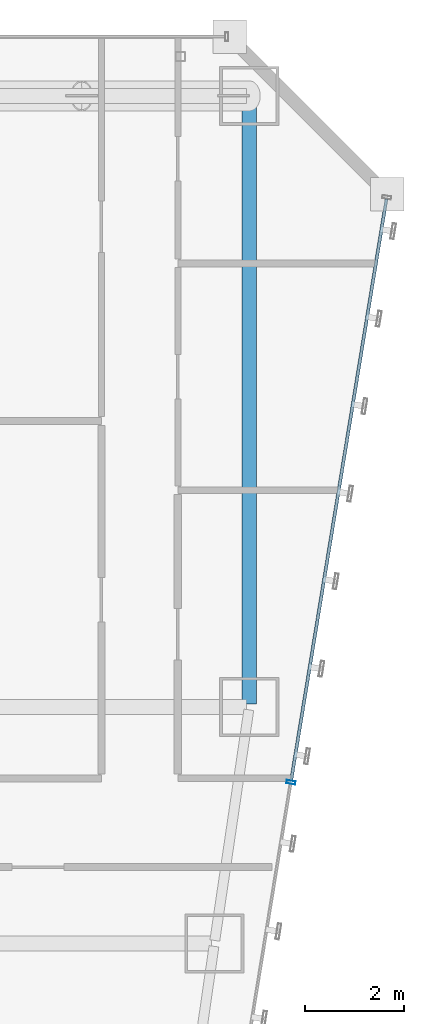
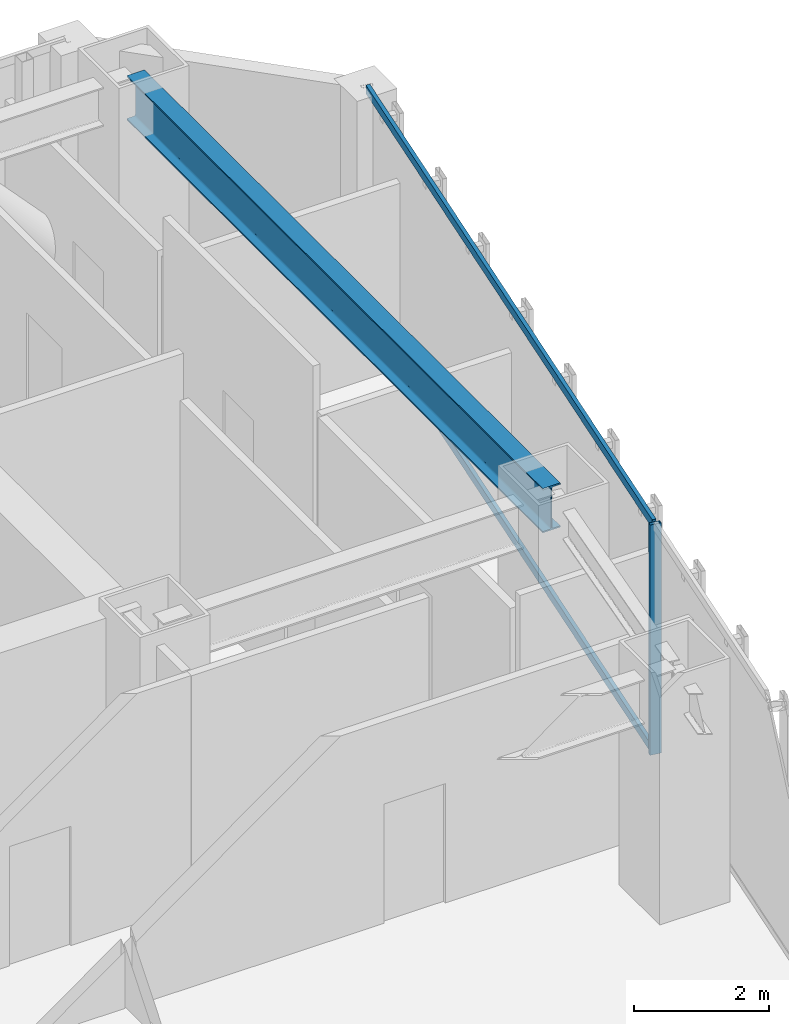
# One storey, part 31 of 47: 3 members, 1 beam, 1 element without a shape of its own.
"""IFC4 building model written with IfcOpenShell, lengths in metres."""

from ifc_helpers import new_model, si_unit, direction, frame, origin, origin_2d, place, context, subcontext, project, spatial, hollow_rectangle, i_section, extrude, material, material_profile, profile_set, type_object, element, aggregate, save


model = new_model("IFC4")

# Units and contexts
model_context = context("Model", 3, precision=1e-05, world=origin(), true_north=direction((0.0, 1.0)))
body_context = subcontext(model_context, "Body", "Model", "MODEL_VIEW")
ifc_project = project(units=[si_unit("LENGTHUNIT", "METRE"), si_unit("AREAUNIT", "SQUARE_METRE"), si_unit("VOLUMEUNIT", "CUBIC_METRE"), si_unit("PLANEANGLEUNIT", "RADIAN"), si_unit("MASSUNIT", "GRAM", prefix="KILO")], contexts=[model_context])

# Site, building, storey
site_placement = place(None, origin())
site = spatial("IfcSite", under=ifc_project, at=site_placement, CompositionType="ELEMENT")
building_placement = place(site_placement, origin())
building = spatial("IfcBuilding", under=site, at=building_placement, Name="Saevonmaru Cultural Tower", CompositionType="ELEMENT")
storey_placement = place(building_placement, frame((0.0, 0.0, 42.800048828125)))
storey = spatial("IfcBuildingStorey", under=building, at=storey_placement, Name="L08", CompositionType="ELEMENT", Elevation=42.800048828125)

# Beam
ifc_material_1 = material(Name="Steel SM420", Category="steel")
ifc_material_profile_1 = material_profile(ifc_material_1, i_section(OverallWidth=0.300048828125, OverallDepth=0.800048828125, WebThickness=0.013916015625, FlangeThickness=0.02587890625, FilletRadius=0.028076171875, at=origin_2d()), Name="H-800x300x14x26")
ifc_profile_set_1 = profile_set([ifc_material_profile_1], Name="Steel SM420")
beam_type = type_object("IfcBeamType", Name="BM-G-H800", PredefinedType="BEAM", material=ifc_profile_set_1)
beam_placement = place(storey_placement, frame((53.199951171875, 54.739990234375, 3.75), z_axis=(0.0, -1.0, 0.0), x_axis=(1.0, 0.0, 0.0)))
element("IfcBeam", 1, at=beam_placement, inside=storey, type_object=beam_type, Name="L08 Spine Transverse Girder E", PredefinedType="BEAM", context=body_context, shape_type="SweptSolid", body=[
    extrude(i_section(OverallWidth=0.300048828125, OverallDepth=0.800048828125, WebThickness=0.013916015625, FlangeThickness=0.02587890625, FilletRadius=0.028076171875, at=origin_2d()), origin(), (0.0, 0.0, 1.0), 12.280029296875),
])

# Curtain wall, members
ifc_material_2 = material(Name="Satin Bronze Anodised Aluminium", Category="aluminium")
curtain_wall_type = type_object("IfcCurtainWallType", Name="CW-TYP-A", PredefinedType="NOTDEFINED", material=ifc_material_2)
curtain_wall_placement = place(storey_placement, origin())
curtain_wall = element("IfcCurtainWall", 2, at=curtain_wall_placement, inside=storey, type_object=curtain_wall_type, Name="L08 Unitised Curtain Wall E8", PredefinedType="NOTDEFINED")
ifc_material_profile_2 = material_profile(ifc_material_2, hollow_rectangle(XDim=0.06494140625, YDim=0.179931640625, WallThickness=0.00390625, at=origin_2d()), Name="ALU-MULL-180x65x4")
ifc_profile_set_2 = profile_set([ifc_material_profile_2], Name="Satin Bronze Anodised Aluminium")
member_type_1 = type_object("IfcMemberType", Name="ML-CW-180x65", PredefinedType="MULLION", material=ifc_profile_set_2)
member_1_placement = place(storey_placement, frame((54.045166015625, 40.870361328125, 0.0), z_axis=(0.0, 0.0, 1.0), x_axis=(0.161708868641, 0.986838508472, 0.0)))
member_1 = element("IfcMember", 3, at=member_1_placement, type_object=member_type_1, Name="CW-TW-L08-E8 mullion 4", PredefinedType="MULLION", context=body_context, shape_type="SweptSolid", body=[
    extrude(hollow_rectangle(XDim=0.06494140625, YDim=0.179931640625, WallThickness=0.00390625, at=origin_2d()), origin(), (0.0, 0.0, 1.0), 4.14990234375),
])
ifc_material_profile_3 = material_profile(ifc_material_2, hollow_rectangle(XDim=0.06494140625, YDim=0.14990234375, WallThickness=0.00390625, at=origin_2d()), Name="ALU-TRAN-150x65x4")
ifc_profile_set_3 = profile_set([ifc_material_profile_3], Name="Satin Bronze Anodised Aluminium")
member_type_2 = type_object("IfcMemberType", Name="TR-CW-150x65", PredefinedType="USERDEFINED", material=ifc_profile_set_3)
member_2_placement = place(storey_placement, frame((54.05029296875, 40.902587890625, 0.032470703125), z_axis=(0.161724530373, 0.986835941925, 0.0), x_axis=(-0.986835941925, 0.161724530373, 0.0)))
member_2 = element("IfcMember", 4, at=member_2_placement, type_object=member_type_2, Name="CW-TW-L08-E8 transom 4.1", ObjectType="TRANSOM", PredefinedType="USERDEFINED", context=body_context, shape_type="SweptSolid", body=[
    extrude(hollow_rectangle(XDim=0.06494140625, YDim=0.14990234375, WallThickness=0.00390625, at=origin_2d()), origin(), (0.0, 0.0, 1.0), 11.963623046875),
])
member_3_placement = place(storey_placement, frame((54.05029296875, 40.902587890625, 4.117431640625), z_axis=(0.161724530373, 0.986835941925, 0.0), x_axis=(-0.986835941925, 0.161724530373, 0.0)))
member_3 = element("IfcMember", 5, at=member_3_placement, type_object=member_type_2, Name="CW-TW-L08-E8 transom 4.2", ObjectType="TRANSOM", PredefinedType="USERDEFINED", context=body_context, shape_type="SweptSolid", body=[
    extrude(hollow_rectangle(XDim=0.06494140625, YDim=0.14990234375, WallThickness=0.00390625, at=origin_2d()), origin(), (0.0, 0.0, 1.0), 11.963623046875),
])
aggregate(curtain_wall, [member_1, member_2, member_3])

save(model, "model.ifc")
